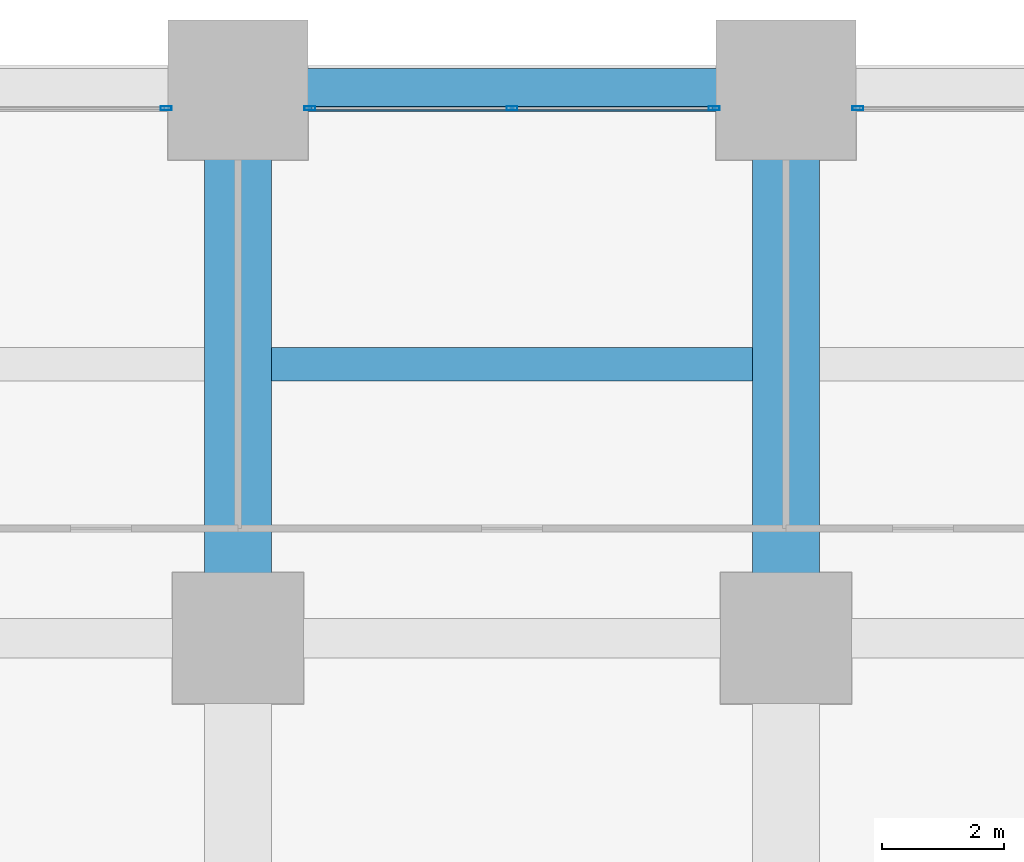
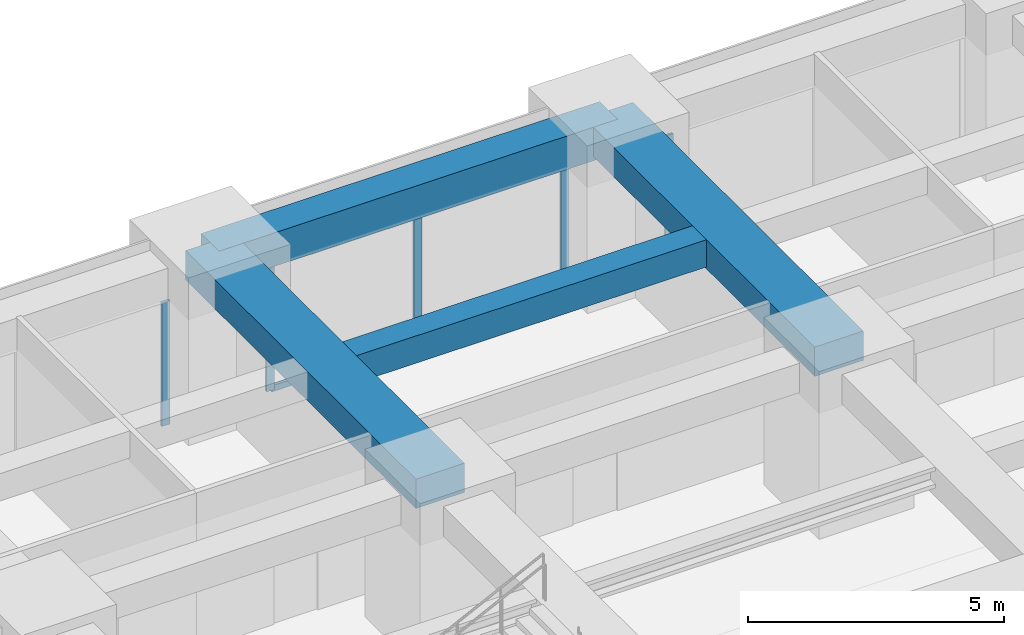
# One storey, part 35 of 44: 6 members, 4 beams, 3 elements without a shape of their own.
"""IFC4 building model written with IfcOpenShell, lengths in metres."""

from ifc_helpers import new_model, si_unit, direction, frame, origin, origin_2d, place, context, subcontext, project, spatial, rectangle, hollow_rectangle, extrude, material, material_profile, profile_set, type_object, element, aggregate, save


model = new_model("IFC4")

# Units and contexts
model_context = context("Model", 3, precision=1e-05, world=origin(), true_north=direction((0.0, 1.0)))
body_context = subcontext(model_context, "Body", "Model", "MODEL_VIEW")
ifc_project = project(units=[si_unit("LENGTHUNIT", "METRE"), si_unit("AREAUNIT", "SQUARE_METRE"), si_unit("VOLUMEUNIT", "CUBIC_METRE"), si_unit("PLANEANGLEUNIT", "RADIAN"), si_unit("MASSUNIT", "GRAM", prefix="KILO")], contexts=[model_context])

# Site, building, storey
site_placement = place(None, origin())
site = spatial("IfcSite", under=ifc_project, at=site_placement, CompositionType="ELEMENT")
building_placement = place(site_placement, origin())
building = spatial("IfcBuilding", under=site, at=building_placement, Name="Zorevar Civic Tower", CompositionType="ELEMENT")
storey_placement = place(building_placement, frame((0.0, 0.0, 59.800048828125)))
storey = spatial("IfcBuildingStorey", under=building, at=storey_placement, Name="L14", CompositionType="ELEMENT", Elevation=59.800048828125)

# Beams
ifc_material_1 = material(Name="Concrete C50/60", Category="concrete")
ifc_material_profile_1 = material_profile(ifc_material_1, rectangle(XDim=1.10009765625, YDim=0.699951171875, at=origin_2d()), Name="RC 1100x700")
ifc_profile_set_1 = profile_set([ifc_material_profile_1], Name="Concrete C50/60")
beam_type_1 = type_object("IfcBeamType", Name="Beam RC 1100x700", PredefinedType="BEAM", material=ifc_profile_set_1)
for number, where, z_axis, x_axis, name in (
    (1, (36.0, 45.0, 3.39990234375), (0.0, 1.0, 0.0), (-1.0, 0.0, 0.0), "Girder L15"),
    (2, (45.0, 45.0, 3.39990234375), (0.0, 1.0, 0.0), (-1.0, 0.0, 0.0), "Girder L15"),
):
    element("IfcBeam", number, at=place(storey_placement, frame(where, z_axis=z_axis, x_axis=x_axis)), inside=storey, type_object=beam_type_1, Name=name, PredefinedType="BEAM", context=body_context, shape_type="SweptSolid", body=[
        extrude(rectangle(XDim=1.10009765625, YDim=0.699951171875, at=origin_2d()), origin(), (0.0, 0.0, 1.0), 9.0),
    ])
ifc_material_2 = material(Name="Concrete C50/60", Category="concrete")
ifc_material_profile_2 = material_profile(ifc_material_2, rectangle(XDim=0.550048828125, YDim=0.64990234375, at=origin_2d()), Name="RC 550x650")
ifc_profile_set_2 = profile_set([ifc_material_profile_2], Name="Concrete C50/60")
beam_type_2 = type_object("IfcBeamType", Name="Beam RC 550x650", PredefinedType="BEAM", material=ifc_profile_set_2)
beam_1_placement = place(storey_placement, frame((36.550048828125, 49.5, 3.425048828125), z_axis=(1.0, 0.0, 0.0), x_axis=(0.0, 1.0, 0.0)))
element("IfcBeam", 3, at=beam_1_placement, inside=storey, type_object=beam_type_2, Name="Secondary beam L15", PredefinedType="BEAM", context=body_context, shape_type="SweptSolid", body=[
    extrude(rectangle(XDim=0.550048828125, YDim=0.64990234375, at=origin_2d()), origin(), (0.0, 0.0, 1.0), 7.89990234375),
])

# Curtain wall, member
ifc_material_3 = material(Name="Dark grey solar-control glass in black aluminium frame", Category="aluminium")
curtain_wall_type = type_object("IfcCurtainWallType", Name="Curtain wall CW2 low zone", PredefinedType="NOTDEFINED", material=ifc_material_3)
curtain_wall_1_placement = place(storey_placement, origin())
curtain_wall_1 = element("IfcCurtainWall", 4, at=curtain_wall_1_placement, inside=storey, type_object=curtain_wall_type, Name="CW2 L14", PredefinedType="NOTDEFINED")
ifc_material_4 = material(Name="Aluminium, black anodised", Category="aluminium")
ifc_material_profile_3 = material_profile(ifc_material_4, hollow_rectangle(XDim=0.06005859375, YDim=0.179931640625, WallThickness=0.00390625, at=origin_2d()), Name="AL 180x60x4")
ifc_profile_set_3 = profile_set([ifc_material_profile_3], Name="Aluminium, black anodised")
member_type_1 = type_object("IfcMemberType", Name="CW2 mullion AL 180x60x4", PredefinedType="MULLION", material=ifc_profile_set_3)
member_1_placement = place(storey_placement, frame((34.820068359375, 53.699951171875, 0.0), z_axis=(0.0, 0.0, 1.0), x_axis=(0.0, 1.0, 0.0)))
member_1 = element("IfcMember", 5, at=member_1_placement, type_object=member_type_1, Name="CW2 mullion 3", PredefinedType="MULLION", context=body_context, shape_type="SweptSolid", body=[
    extrude(hollow_rectangle(XDim=0.06005859375, YDim=0.179931640625, WallThickness=0.00390625, at=origin_2d()), origin(), (0.0, 0.0, 1.0), 2.949951171875),
])
aggregate(curtain_wall_1, [member_1])

# Curtain wall, members
curtain_wall_2_placement = place(storey_placement, origin())
curtain_wall_2 = element("IfcCurtainWall", 6, at=curtain_wall_2_placement, inside=storey, type_object=curtain_wall_type, Name="CW2 L14", PredefinedType="NOTDEFINED")
member_2_placement = place(storey_placement, frame((37.179931640625, 53.699951171875, 0.0), z_axis=(0.0, 0.0, 1.0), x_axis=(0.0, 1.0, 0.0)))
member_2 = element("IfcMember", 7, at=member_2_placement, type_object=member_type_1, Name="CW2 mullion 1", PredefinedType="MULLION", context=body_context, shape_type="SweptSolid", body=[
    extrude(hollow_rectangle(XDim=0.06005859375, YDim=0.179931640625, WallThickness=0.00390625, at=origin_2d()), origin(), (0.0, 0.0, 1.0), 2.949951171875),
])
member_3_placement = place(storey_placement, frame((40.5, 53.699951171875, 0.06005859375), z_axis=(0.0, 0.0, 1.0), x_axis=(0.0, 1.0, 0.0)))
member_3 = element("IfcMember", 8, at=member_3_placement, type_object=member_type_1, Name="CW2 mullion 2", PredefinedType="MULLION", context=body_context, shape_type="SweptSolid", body=[
    extrude(hollow_rectangle(XDim=0.06005859375, YDim=0.179931640625, WallThickness=0.00390625, at=origin_2d()), origin(), (0.0, 0.0, 1.0), 2.889892578125),
])
member_4_placement = place(storey_placement, frame((43.820068359375, 53.699951171875, 0.0), z_axis=(0.0, 0.0, 1.0), x_axis=(0.0, 1.0, 0.0)))
member_4 = element("IfcMember", 9, at=member_4_placement, type_object=member_type_1, Name="CW2 mullion 3", PredefinedType="MULLION", context=body_context, shape_type="SweptSolid", body=[
    extrude(hollow_rectangle(XDim=0.06005859375, YDim=0.179931640625, WallThickness=0.00390625, at=origin_2d()), origin(), (0.0, 0.0, 1.0), 2.949951171875),
])

# Curtain wall, member
curtain_wall_3_placement = place(storey_placement, origin())
curtain_wall_3 = element("IfcCurtainWall", 10, at=curtain_wall_3_placement, inside=storey, type_object=curtain_wall_type, Name="CW2 L14", PredefinedType="NOTDEFINED")
member_5_placement = place(storey_placement, frame((46.179931640625, 53.699951171875, 0.0), z_axis=(0.0, 0.0, 1.0), x_axis=(0.0, 1.0, 0.0)))
member_5 = element("IfcMember", 11, at=member_5_placement, type_object=member_type_1, Name="CW2 mullion 1", PredefinedType="MULLION", context=body_context, shape_type="SweptSolid", body=[
    extrude(hollow_rectangle(XDim=0.06005859375, YDim=0.179931640625, WallThickness=0.00390625, at=origin_2d()), origin(), (0.0, 0.0, 1.0), 2.949951171875),
])
aggregate(curtain_wall_3, [member_5])

# Member
ifc_material_5 = material(Name="Aluminium, black anodised", Category="aluminium")
ifc_material_profile_4 = material_profile(ifc_material_5, hollow_rectangle(XDim=0.06005859375, YDim=0.14990234375, WallThickness=0.00390625, at=origin_2d()), Name="AL 150x60x4")
ifc_profile_set_4 = profile_set([ifc_material_profile_4], Name="Aluminium, black anodised")
member_type_2 = type_object("IfcMemberType", Name="CW2 transom AL 150x60x4", PredefinedType="USERDEFINED", material=ifc_profile_set_4)
member_6_placement = place(storey_placement, frame((37.2099609375, 53.699951171875, 0.030029296875), z_axis=(1.0, 0.0, 0.0), x_axis=(0.0, 1.0, 0.0)))
member_6 = element("IfcMember", 12, at=member_6_placement, type_object=member_type_2, Name="CW2 sill transom", ObjectType="TRANSOM", PredefinedType="USERDEFINED", context=body_context, shape_type="SweptSolid", body=[
    extrude(hollow_rectangle(XDim=0.06005859375, YDim=0.14990234375, WallThickness=0.00390625, at=origin_2d()), origin(), (0.0, 0.0, 1.0), 6.580078125),
])

aggregate(curtain_wall_2, [member_2, member_3, member_4, member_6])

# Beam
ifc_material_6 = material(Name="Concrete C50/60", Category="concrete")
ifc_material_profile_5 = material_profile(ifc_material_6, rectangle(XDim=0.699951171875, YDim=0.800048828125, at=origin_2d()), Name="RC 700x800")
ifc_profile_set_5 = profile_set([ifc_material_profile_5], Name="Concrete C50/60")
beam_type_3 = type_object("IfcBeamType", Name="Edge beam RC 700x800", PredefinedType="SPANDREL", material=ifc_profile_set_5)
beam_2_placement = place(storey_placement, frame((36.0, 54.0, 3.349853515625), z_axis=(1.0, 0.0, 0.0), x_axis=(0.0, 1.0, 0.0)))
element("IfcBeam", 13, at=beam_2_placement, inside=storey, type_object=beam_type_3, Name="Edge beam L15", PredefinedType="SPANDREL", context=body_context, shape_type="SweptSolid", body=[
    extrude(rectangle(XDim=0.699951171875, YDim=0.800048828125, at=origin_2d()), origin(), (0.0, 0.0, 1.0), 9.0),
])

save(model, "model.ifc")
